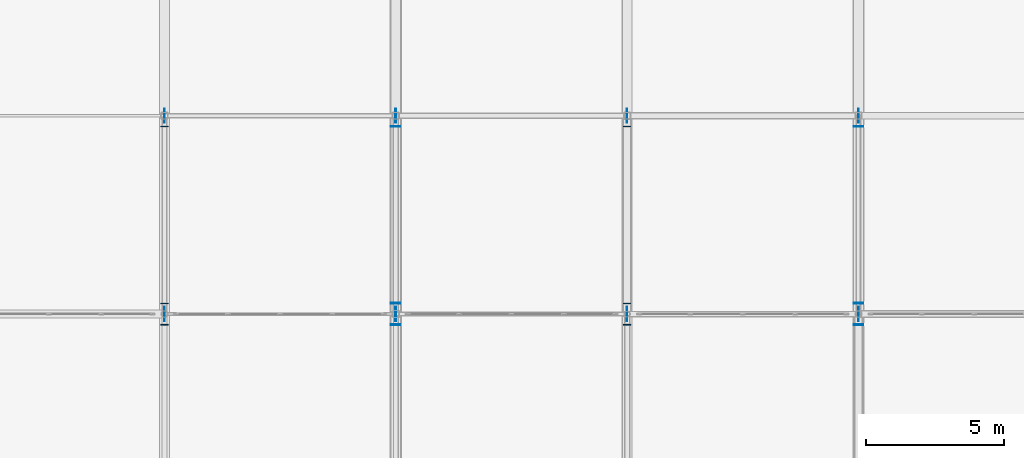
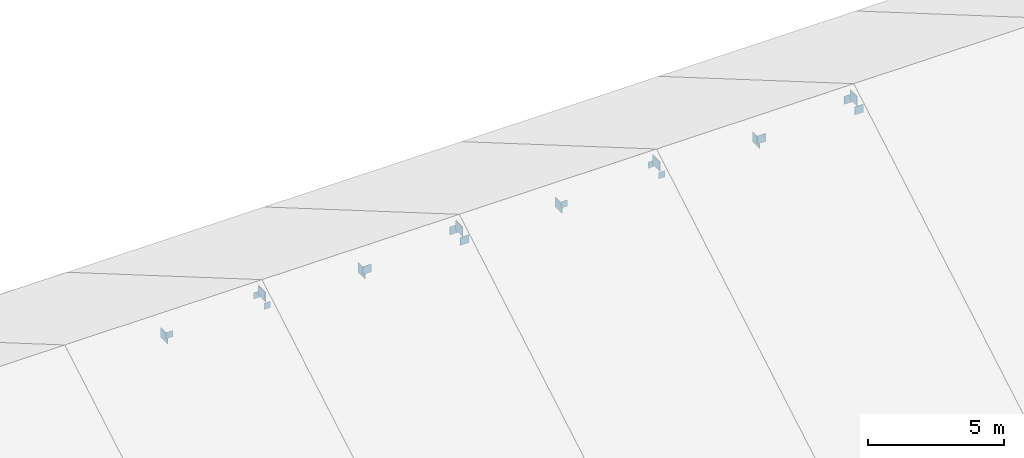
# One storey, part 44 of 54: 20 plates.
"""IFC4 building model written with IfcOpenShell, lengths in metres."""

from ifc_helpers import new_model, si_unit, direction, frame, origin, origin_2d, place, context, subcontext, project, spatial, rectangle, extrude, material, layer, layer_set, type_object, element, save


model = new_model("IFC4")

# Units and contexts
model_context = context("Model", 3, precision=1e-05, world=origin(), true_north=direction((0.0, 1.0)))
body_context = subcontext(model_context, "Body", "Model", "MODEL_VIEW")
ifc_project = project(units=[si_unit("LENGTHUNIT", "METRE"), si_unit("AREAUNIT", "SQUARE_METRE"), si_unit("VOLUMEUNIT", "CUBIC_METRE"), si_unit("PLANEANGLEUNIT", "RADIAN"), si_unit("MASSUNIT", "GRAM", prefix="KILO")], contexts=[model_context])

# Site, building, storey
site_placement = place(None, origin())
site = spatial("IfcSite", under=ifc_project, at=site_placement, CompositionType="ELEMENT")
building_placement = place(site_placement, origin())
building = spatial("IfcBuilding", under=site, at=building_placement, Name="Zulmaris Art Gallery", CompositionType="ELEMENT")
storey_placement = place(building_placement, frame((0.0, 0.0, 26.39990234375)))
storey = spatial("IfcBuildingStorey", under=building, at=storey_placement, Name="L05", CompositionType="ELEMENT", Elevation=26.39990234375)

# Plates
ifc_material = material(Name="Steel S355J2", Category="steel")
ifc_layer_1 = layer(ifc_material, 0.02001953125)
ifc_layer_set_1 = layer_set([ifc_layer_1], Name="Steel S355J2")
plate_type_1 = type_object("IfcPlateType", Name="PLT-CP01", PredefinedType="USERDEFINED", material=ifc_layer_set_1)
for number, where, z_axis, x_axis, name in (
    (1, (40.800048828125, 35.610595703125, 7.33544921875), (0.0, 0.0, 1.0), (1.0, 0.0, 0.0), "Hollow-section end cap plate 90"),
    (2, (40.800048828125, 36.389404296875, 7.33544921875), (0.0, 0.0, 1.0), (1.0, 0.0, 0.0), "Hollow-section end cap plate 91"),
    (3, (40.800048828125, 42.810546875, 1.65478515625), (0.0, 0.0, 1.0), (1.0, 0.0, 0.0), "Hollow-section end cap plate 92"),
    (4, (57.60009765625, 35.610595703125, 7.33544921875), (0.0, 0.0, 1.0), (1.0, 0.0, 0.0), "Hollow-section end cap plate 98"),
    (5, (57.60009765625, 36.389404296875, 7.33544921875), (0.0, 0.0, 1.0), (1.0, 0.0, 0.0), "Hollow-section end cap plate 99"),
    (6, (57.60009765625, 42.810546875, 1.65478515625), (0.0, 0.0, 1.0), (1.0, 0.0, 0.0), "Hollow-section end cap plate 100"),
):
    element("IfcPlate", number, at=place(storey_placement, frame(where, z_axis=z_axis, x_axis=x_axis)), inside=storey, type_object=plate_type_1, Name=name, ObjectType="CAP PLATE", PredefinedType="USERDEFINED", context=body_context, shape_type="SweptSolid", body=[
        extrude(rectangle(XDim=0.280029296875, YDim=0.02001953125, at=origin_2d()), origin(), (0.0, 0.0, 1.0), 0.280029296875),
    ])
ifc_layer_2 = layer(ifc_material, 0.02197265625)
ifc_layer_set_2 = layer_set([ifc_layer_2], Name="Steel S355J2")
plate_type_2 = type_object("IfcPlateType", Name="PLT-CP02", PredefinedType="USERDEFINED", material=ifc_layer_set_2)
for number, where, z_axis, x_axis, name in (
    (7, (49.199951171875, 35.610595703125, 7.29541015625), (0.0, 0.0, 1.0), (1.0, 0.0, 0.0), "Hollow-section end cap plate 94"),
    (8, (49.199951171875, 36.389404296875, 7.29541015625), (0.0, 0.0, 1.0), (1.0, 0.0, 0.0), "Hollow-section end cap plate 95"),
    (9, (49.199951171875, 42.810546875, 1.61474609375), (0.0, 0.0, 1.0), (1.0, 0.0, 0.0), "Hollow-section end cap plate 96"),
    (10, (66.0, 35.610595703125, 7.29541015625), (0.0, 0.0, 1.0), (1.0, 0.0, 0.0), "Hollow-section end cap plate 102"),
    (11, (66.0, 36.389404296875, 7.29541015625), (0.0, 0.0, 1.0), (1.0, 0.0, 0.0), "Hollow-section end cap plate 103"),
    (12, (66.0, 42.810546875, 1.61474609375), (0.0, 0.0, 1.0), (1.0, 0.0, 0.0), "Hollow-section end cap plate 104"),
):
    element("IfcPlate", number, at=place(storey_placement, frame(where, z_axis=z_axis, x_axis=x_axis)), inside=storey, type_object=plate_type_2, Name=name, ObjectType="CAP PLATE", PredefinedType="USERDEFINED", context=body_context, shape_type="SweptSolid", body=[
        extrude(rectangle(XDim=0.360107421875, YDim=0.02197265625, at=origin_2d()), origin(), (0.0, 0.0, 1.0), 0.360107421875),
    ])
ifc_layer_3 = layer(ifc_material, 0.02392578125)
ifc_layer_set_3 = layer_set([ifc_layer_3], Name="Steel S355J2")
plate_type_3 = type_object("IfcPlateType", Name="PLT-GP01", PredefinedType="USERDEFINED", material=ifc_layer_set_3)
for number, where, z_axis, x_axis, name in (
    (13, (40.800048828125, 36.0, 7.550048828125), (0.0, 0.0, 1.0), (1.0, 0.0, 0.0), "Pitched truss TR-R05 node gusset 3"),
    (14, (40.800048828125, 43.199951171875, 1.280029296875), (0.0, 0.0, 1.0), (1.0, 0.0, 0.0), "Pitched truss TR-R05 node gusset 4"),
    (15, (49.199951171875, 36.0, 7.550048828125), (0.0, 0.0, 1.0), (1.0, 0.0, 0.0), "Pitched truss TR-R06 node gusset 3"),
    (16, (49.199951171875, 43.199951171875, 1.280029296875), (0.0, 0.0, 1.0), (1.0, 0.0, 0.0), "Pitched truss TR-R06 node gusset 4"),
    (17, (57.60009765625, 36.0, 7.550048828125), (0.0, 0.0, 1.0), (1.0, 0.0, 0.0), "Pitched truss TR-R07 node gusset 3"),
    (18, (57.60009765625, 43.199951171875, 1.280029296875), (0.0, 0.0, 1.0), (1.0, 0.0, 0.0), "Pitched truss TR-R07 node gusset 4"),
    (19, (66.0, 36.0, 7.550048828125), (0.0, 0.0, 1.0), (1.0, 0.0, 0.0), "Pitched truss TR-R08 node gusset 3"),
    (20, (66.0, 43.199951171875, 1.280029296875), (0.0, 0.0, 1.0), (1.0, 0.0, 0.0), "Pitched truss TR-R08 node gusset 4"),
):
    element("IfcPlate", number, at=place(storey_placement, frame(where, z_axis=z_axis, x_axis=x_axis)), inside=storey, type_object=plate_type_3, Name=name, ObjectType="GUSSET PLATE", PredefinedType="USERDEFINED", context=body_context, shape_type="SweptSolid", body=[
        extrude(rectangle(XDim=0.02392578125, YDim=0.52001953125, at=origin_2d()), origin(), (0.0, 0.0, 1.0), 0.43994140625),
    ])

save(model, "model.ifc")
